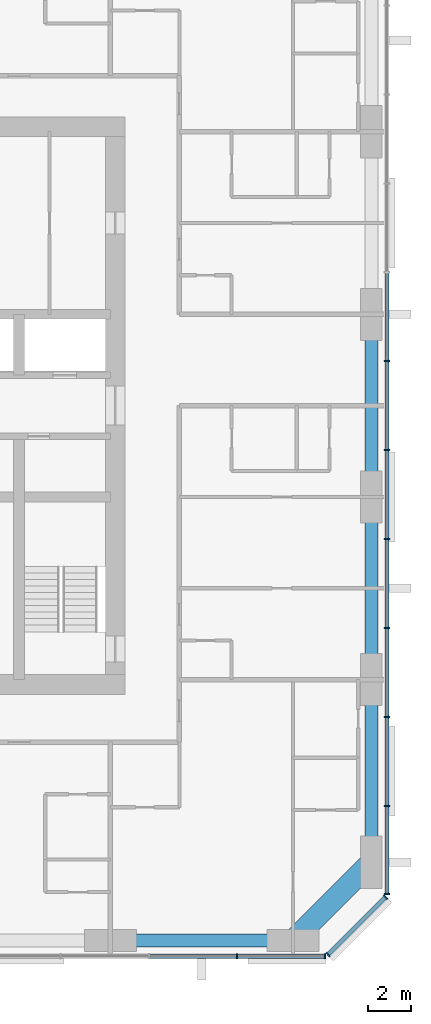
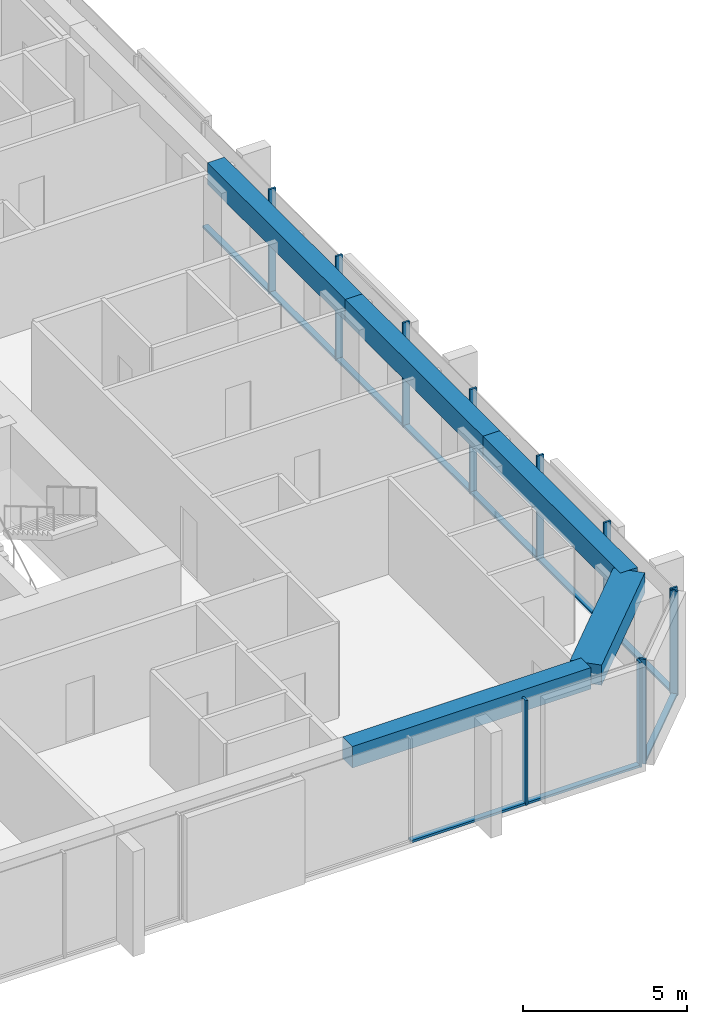
# One storey, part 3 of 12: 21 members, 5 beams, 3 elements without a shape of their own.
"""IFC4 building model written with IfcOpenShell, lengths in metres."""

from ifc_helpers import new_model, si_unit, direction, frame, origin, origin_2d, place, context, subcontext, project, spatial, rectangle, extrude, material, material_profile, profile_set, type_object, element, aggregate, save


model = new_model("IFC4")

# Units and contexts
model_context = context("Model", 3, precision=1e-05, world=origin(), true_north=direction((0.0, 1.0)))
body_context = subcontext(model_context, "Body", "Model", "MODEL_VIEW")
ifc_project = project(units=[si_unit("LENGTHUNIT", "METRE"), si_unit("AREAUNIT", "SQUARE_METRE"), si_unit("VOLUMEUNIT", "CUBIC_METRE"), si_unit("PLANEANGLEUNIT", "RADIAN"), si_unit("MASSUNIT", "GRAM", prefix="KILO")], contexts=[model_context])

# Site, building, storey
site_placement = place(None, origin())
site = spatial("IfcSite", under=ifc_project, at=site_placement, CompositionType="ELEMENT")
building_placement = place(site_placement, origin())
building = spatial("IfcBuilding", under=site, at=building_placement, Name="Dunama Terrace Hotel", CompositionType="ELEMENT")
storey_placement = place(building_placement, frame((0.0, 0.0, 237.300048828125)))
storey = spatial("IfcBuildingStorey", under=building, at=storey_placement, Name="L61", CompositionType="ELEMENT", Elevation=237.300048828125)

# Curtain wall, members
ifc_material_1 = material(Name="Aluminium curtain wall system", Category="aluminium")
curtain_wall_type = type_object("IfcCurtainWallType", Name="Unitised fritted glass wall CW-D", PredefinedType="NOTDEFINED", material=ifc_material_1)
curtain_wall_1_placement = place(storey_placement, origin())
curtain_wall_1 = element("IfcCurtainWall", 1, at=curtain_wall_1_placement, inside=storey, type_object=curtain_wall_type, Name="Unitised fritted glass wall CW-D L61", PredefinedType="NOTDEFINED")
ifc_material_2 = material(Name="Aluminium mullion", Category="aluminium")
ifc_material_profile_1 = material_profile(ifc_material_2, rectangle(XDim=0.070068359375, YDim=0.239990234375, at=origin_2d()), Name="CWD MULLION 70X240")
ifc_profile_set_1 = profile_set([ifc_material_profile_1], Name="Aluminium mullion")
member_type_1 = type_object("IfcMemberType", Name="CWD mullion 70x240", PredefinedType="MULLION", material=ifc_profile_set_1)
member_1_placement = place(storey_placement, frame((47.8330078125, 4.080078125, 0.0), z_axis=(0.0, 0.0, 1.0), x_axis=(1.0, 0.0, 0.0)))
member_1 = element("IfcMember", 2, at=member_1_placement, type_object=member_type_1, Name="CWD mullion", PredefinedType="MULLION", context=body_context, shape_type="SweptSolid", body=[
    extrude(rectangle(XDim=0.070068359375, YDim=0.239990234375, at=origin_2d()), origin(), (0.0, 0.0, 1.0), 3.89990234375),
])
member_2_placement = place(storey_placement, frame((51.864990234375, 4.080078125, 0.0), z_axis=(0.0, 0.0, 1.0), x_axis=(1.0, 0.0, 0.0)))
member_2 = element("IfcMember", 3, at=member_2_placement, type_object=member_type_1, Name="CWD mullion", PredefinedType="MULLION", context=body_context, shape_type="SweptSolid", body=[
    extrude(rectangle(XDim=0.070068359375, YDim=0.239990234375, at=origin_2d()), origin(), (0.0, 0.0, 1.0), 3.89990234375),
])

curtain_wall_2_placement = place(storey_placement, origin())
curtain_wall_2 = element("IfcCurtainWall", 4, at=curtain_wall_2_placement, inside=storey, type_object=curtain_wall_type, Name="Unitised fritted glass wall CW-D L61", PredefinedType="NOTDEFINED")
member_3_placement = place(storey_placement, frame((52.010009765625, 4.139892578125, 0.0), z_axis=(0.0, 0.0, 1.0), x_axis=(0.707106781187, 0.707106781187, 0.0)))
member_3 = element("IfcMember", 5, at=member_3_placement, type_object=member_type_1, Name="CWD mullion", PredefinedType="MULLION", context=body_context, shape_type="SweptSolid", body=[
    extrude(rectangle(XDim=0.070068359375, YDim=0.239990234375, at=origin_2d()), origin(), (0.0, 0.0, 1.0), 3.89990234375),
])
member_4_placement = place(storey_placement, frame((54.659912109375, 6.7900390625, 0.0), z_axis=(0.0, 0.0, 1.0), x_axis=(0.707106781187, 0.707106781187, 0.0)))
member_4 = element("IfcMember", 6, at=member_4_placement, type_object=member_type_1, Name="CWD mullion", PredefinedType="MULLION", context=body_context, shape_type="SweptSolid", body=[
    extrude(rectangle(XDim=0.070068359375, YDim=0.239990234375, at=origin_2d()), origin(), (0.0, 0.0, 1.0), 3.89990234375),
])

curtain_wall_3_placement = place(storey_placement, origin())
curtain_wall_3 = element("IfcCurtainWall", 7, at=curtain_wall_3_placement, inside=storey, type_object=curtain_wall_type, Name="Unitised fritted glass wall CW-D L61", PredefinedType="NOTDEFINED")
member_5_placement = place(storey_placement, frame((54.719970703125, 6.93505859375, 0.0), z_axis=(0.0, 0.0, 1.0), x_axis=(0.0, 1.0, 0.0)))
member_5 = element("IfcMember", 8, at=member_5_placement, type_object=member_type_1, Name="CWD mullion", PredefinedType="MULLION", context=body_context, shape_type="SweptSolid", body=[
    extrude(rectangle(XDim=0.070068359375, YDim=0.239990234375, at=origin_2d()), origin(), (0.0, 0.0, 1.0), 3.89990234375),
])
member_6_placement = place(storey_placement, frame((54.719970703125, 10.990966796875, 0.0), z_axis=(0.0, 0.0, 1.0), x_axis=(0.0, 1.0, 0.0)))
member_6 = element("IfcMember", 9, at=member_6_placement, type_object=member_type_1, Name="CWD mullion", PredefinedType="MULLION", context=body_context, shape_type="SweptSolid", body=[
    extrude(rectangle(XDim=0.070068359375, YDim=0.239990234375, at=origin_2d()), origin(), (0.0, 0.0, 1.0), 3.89990234375),
])
member_7_placement = place(storey_placement, frame((54.719970703125, 15.08203125, 0.0), z_axis=(0.0, 0.0, 1.0), x_axis=(0.0, 1.0, 0.0)))
member_7 = element("IfcMember", 10, at=member_7_placement, type_object=member_type_1, Name="CWD mullion", PredefinedType="MULLION", context=body_context, shape_type="SweptSolid", body=[
    extrude(rectangle(XDim=0.070068359375, YDim=0.239990234375, at=origin_2d()), origin(), (0.0, 0.0, 1.0), 3.89990234375),
])
member_8_placement = place(storey_placement, frame((54.719970703125, 19.173095703125, 0.0), z_axis=(0.0, 0.0, 1.0), x_axis=(0.0, 1.0, 0.0)))
member_8 = element("IfcMember", 11, at=member_8_placement, type_object=member_type_1, Name="CWD mullion", PredefinedType="MULLION", context=body_context, shape_type="SweptSolid", body=[
    extrude(rectangle(XDim=0.070068359375, YDim=0.239990234375, at=origin_2d()), origin(), (0.0, 0.0, 1.0), 3.89990234375),
])
member_9_placement = place(storey_placement, frame((54.719970703125, 23.263916015625, 0.0), z_axis=(0.0, 0.0, 1.0), x_axis=(0.0, 1.0, 0.0)))
member_9 = element("IfcMember", 12, at=member_9_placement, type_object=member_type_1, Name="CWD mullion", PredefinedType="MULLION", context=body_context, shape_type="SweptSolid", body=[
    extrude(rectangle(XDim=0.070068359375, YDim=0.239990234375, at=origin_2d()), origin(), (0.0, 0.0, 1.0), 3.89990234375),
])
member_10_placement = place(storey_placement, frame((54.719970703125, 27.35498046875, 0.0), z_axis=(0.0, 0.0, 1.0), x_axis=(0.0, 1.0, 0.0)))
member_10 = element("IfcMember", 13, at=member_10_placement, type_object=member_type_1, Name="CWD mullion", PredefinedType="MULLION", context=body_context, shape_type="SweptSolid", body=[
    extrude(rectangle(XDim=0.070068359375, YDim=0.239990234375, at=origin_2d()), origin(), (0.0, 0.0, 1.0), 3.89990234375),
])
member_11_placement = place(storey_placement, frame((54.719970703125, 31.445068359375, 0.0), z_axis=(0.0, 0.0, 1.0), x_axis=(0.0, 1.0, 0.0)))
member_11 = element("IfcMember", 14, at=member_11_placement, type_object=member_type_1, Name="CWD mullion", PredefinedType="MULLION", context=body_context, shape_type="SweptSolid", body=[
    extrude(rectangle(XDim=0.070068359375, YDim=0.239990234375, at=origin_2d()), origin(), (0.0, 0.0, 1.0), 3.89990234375),
])

# Member
ifc_material_3 = material(Name="Aluminium transom", Category="aluminium")
ifc_material_profile_2 = material_profile(ifc_material_3, rectangle(XDim=0.199951171875, YDim=0.0849609375, at=origin_2d()), Name="CWD TRANSOM 200X85")
ifc_profile_set_2 = profile_set([ifc_material_profile_2], Name="Aluminium transom")
member_type_2 = type_object("IfcMemberType", Name="CWD transom 200x85", PredefinedType="USERDEFINED", material=ifc_profile_set_2)
member_12_placement = place(storey_placement, frame((43.802001953125, 4.080078125, 0.04248046875), z_axis=(1.0, 0.0, 0.0), x_axis=(0.0, 1.0, 0.0)))
member_12 = element("IfcMember", 15, at=member_12_placement, type_object=member_type_2, Name="CWD transom", ObjectType="TRANSOM", PredefinedType="USERDEFINED", context=body_context, shape_type="SweptSolid", body=[
    extrude(rectangle(XDim=0.199951171875, YDim=0.0849609375, at=origin_2d()), origin(), (0.0, 0.0, 1.0), 3.99609375),
])

member_13_placement = place(storey_placement, frame((47.867919921875, 4.080078125, 0.04248046875), z_axis=(1.0, 0.0, 0.0), x_axis=(0.0, 1.0, 0.0)))
member_13 = element("IfcMember", 16, at=member_13_placement, type_object=member_type_2, Name="CWD transom", ObjectType="TRANSOM", PredefinedType="USERDEFINED", context=body_context, shape_type="SweptSolid", body=[
    extrude(rectangle(XDim=0.199951171875, YDim=0.0849609375, at=origin_2d()), origin(), (0.0, 0.0, 1.0), 3.962158203125),
])

aggregate(curtain_wall_1, [member_1, member_2, member_12, member_13])

member_14_placement = place(storey_placement, frame((52.033935546875, 4.1650390625, 0.04248046875), z_axis=(0.707106781187, 0.707106781187, 0.0), x_axis=(-0.707106781187, 0.707106781187, 0.0)))
member_14 = element("IfcMember", 17, at=member_14_placement, type_object=member_type_2, Name="CWD transom", ObjectType="TRANSOM", PredefinedType="USERDEFINED", context=body_context, shape_type="SweptSolid", body=[
    extrude(rectangle(XDim=0.199951171875, YDim=0.0849609375, at=origin_2d()), origin(), (0.0, 0.0, 1.0), 3.678466796875),
])

aggregate(curtain_wall_2, [member_3, member_4, member_14])

member_15_placement = place(storey_placement, frame((54.719970703125, 6.969970703125, 0.04248046875), z_axis=(0.0, 1.0, 0.0), x_axis=(-1.0, 0.0, 0.0)))
member_15 = element("IfcMember", 18, at=member_15_placement, type_object=member_type_2, Name="CWD transom", ObjectType="TRANSOM", PredefinedType="USERDEFINED", context=body_context, shape_type="SweptSolid", body=[
    extrude(rectangle(XDim=0.199951171875, YDim=0.0849609375, at=origin_2d()), origin(), (0.0, 0.0, 1.0), 3.986083984375),
])

member_16_placement = place(storey_placement, frame((54.719970703125, 11.02587890625, 0.04248046875), z_axis=(0.0, 1.0, 0.0), x_axis=(-1.0, 0.0, 0.0)))
member_16 = element("IfcMember", 19, at=member_16_placement, type_object=member_type_2, Name="CWD transom", ObjectType="TRANSOM", PredefinedType="USERDEFINED", context=body_context, shape_type="SweptSolid", body=[
    extrude(rectangle(XDim=0.199951171875, YDim=0.0849609375, at=origin_2d()), origin(), (0.0, 0.0, 1.0), 4.021240234375),
])

member_17_placement = place(storey_placement, frame((54.719970703125, 15.116943359375, 0.04248046875), z_axis=(0.0, 1.0, 0.0), x_axis=(-1.0, 0.0, 0.0)))
member_17 = element("IfcMember", 20, at=member_17_placement, type_object=member_type_2, Name="CWD transom", ObjectType="TRANSOM", PredefinedType="USERDEFINED", context=body_context, shape_type="SweptSolid", body=[
    extrude(rectangle(XDim=0.199951171875, YDim=0.0849609375, at=origin_2d()), origin(), (0.0, 0.0, 1.0), 4.02099609375),
])

member_18_placement = place(storey_placement, frame((54.719970703125, 19.2080078125, 0.04248046875), z_axis=(0.0, 1.0, 0.0), x_axis=(-1.0, 0.0, 0.0)))
member_18 = element("IfcMember", 21, at=member_18_placement, type_object=member_type_2, Name="CWD transom", ObjectType="TRANSOM", PredefinedType="USERDEFINED", context=body_context, shape_type="SweptSolid", body=[
    extrude(rectangle(XDim=0.199951171875, YDim=0.0849609375, at=origin_2d()), origin(), (0.0, 0.0, 1.0), 4.02099609375),
])

member_19_placement = place(storey_placement, frame((54.719970703125, 23.299072265625, 0.04248046875), z_axis=(0.0, 1.0, 0.0), x_axis=(-1.0, 0.0, 0.0)))
member_19 = element("IfcMember", 22, at=member_19_placement, type_object=member_type_2, Name="CWD transom", ObjectType="TRANSOM", PredefinedType="USERDEFINED", context=body_context, shape_type="SweptSolid", body=[
    extrude(rectangle(XDim=0.199951171875, YDim=0.0849609375, at=origin_2d()), origin(), (0.0, 0.0, 1.0), 4.02099609375),
])

member_20_placement = place(storey_placement, frame((54.719970703125, 27.389892578125, 0.04248046875), z_axis=(0.0, 1.0, 0.0), x_axis=(-1.0, 0.0, 0.0)))
member_20 = element("IfcMember", 23, at=member_20_placement, type_object=member_type_2, Name="CWD transom", ObjectType="TRANSOM", PredefinedType="USERDEFINED", context=body_context, shape_type="SweptSolid", body=[
    extrude(rectangle(XDim=0.199951171875, YDim=0.0849609375, at=origin_2d()), origin(), (0.0, 0.0, 1.0), 4.02001953125),
])

member_21_placement = place(storey_placement, frame((54.719970703125, 31.47998046875, 0.04248046875), z_axis=(0.0, 1.0, 0.0), x_axis=(-1.0, 0.0, 0.0)))
member_21 = element("IfcMember", 24, at=member_21_placement, type_object=member_type_2, Name="CWD transom", ObjectType="TRANSOM", PredefinedType="USERDEFINED", context=body_context, shape_type="SweptSolid", body=[
    extrude(rectangle(XDim=0.199951171875, YDim=0.0849609375, at=origin_2d()), origin(), (0.0, 0.0, 1.0), 4.02099609375),
])

aggregate(curtain_wall_3, [member_5, member_6, member_7, member_8, member_9, member_10, member_11, member_15, member_16, member_17, member_18, member_19, member_20, member_21])

# Beams
ifc_material_4 = material(Name="Concrete C50/60", Category="concrete")
ifc_material_profile_3 = material_profile(ifc_material_4, rectangle(XDim=1.0, YDim=0.75, at=origin_2d()), Name="RC 1000x750")
ifc_profile_set_3 = profile_set([ifc_material_profile_3], Name="Concrete C50/60")
beam_type_1 = type_object("IfcBeamType", Name="Edge beam RC 1000x750", PredefinedType="SPANDREL", material=ifc_profile_set_3)
beam_1_placement = place(storey_placement, frame((50.39990234375, 4.800048828125, 3.52490234375), z_axis=(0.707130757816, 0.707082803744, 0.0), x_axis=(-0.707082803744, 0.707130757816, 0.0)))
element("IfcBeam", 25, at=beam_1_placement, inside=storey, type_object=beam_type_1, Name="Corner edge beam under L62", PredefinedType="SPANDREL", context=body_context, shape_type="SweptSolid", body=[
    extrude(rectangle(XDim=1.0, YDim=0.75, at=origin_2d()), origin(), (0.0, 0.0, 1.0), 5.091064453125),
])
ifc_material_5 = material(Name="Concrete C40/50", Category="concrete")
ifc_material_profile_4 = material_profile(ifc_material_5, rectangle(XDim=0.60009765625, YDim=0.800048828125, at=origin_2d()), Name="RC 600x800")
ifc_profile_set_4 = profile_set([ifc_material_profile_4], Name="Concrete C40/50")
beam_type_2 = type_object("IfcBeamType", Name="Edge beam RC 600x800", PredefinedType="SPANDREL", material=ifc_profile_set_4)
beam_2_placement = place(storey_placement, frame((54.0, 8.39990234375, 3.5), z_axis=(0.0, 1.0, 0.0), x_axis=(-1.0, 0.0, 0.0)))
element("IfcBeam", 26, at=beam_2_placement, inside=storey, type_object=beam_type_2, Name="Edge beam under L62", PredefinedType="SPANDREL", context=body_context, shape_type="SweptSolid", body=[
    extrude(rectangle(XDim=0.60009765625, YDim=0.800048828125, at=origin_2d()), origin(), (0.0, 0.0, 1.0), 8.400146484375),
])
beam_3_placement = place(storey_placement, frame((54.0, 16.800048828125, 3.5), z_axis=(0.0, 1.0, 0.0), x_axis=(-1.0, 0.0, 0.0)))
element("IfcBeam", 27, at=beam_3_placement, inside=storey, type_object=beam_type_2, Name="Edge beam under L62", PredefinedType="SPANDREL", context=body_context, shape_type="SweptSolid", body=[
    extrude(rectangle(XDim=0.60009765625, YDim=0.800048828125, at=origin_2d()), origin(), (0.0, 0.0, 1.0), 8.39990234375),
])
beam_4_placement = place(storey_placement, frame((54.0, 25.199951171875, 3.5), z_axis=(0.0, 1.0, 0.0), x_axis=(-1.0, 0.0, 0.0)))
element("IfcBeam", 28, at=beam_4_placement, inside=storey, type_object=beam_type_2, Name="Edge beam under L62", PredefinedType="SPANDREL", context=body_context, shape_type="SweptSolid", body=[
    extrude(rectangle(XDim=0.60009765625, YDim=0.800048828125, at=origin_2d()), origin(), (0.0, 0.0, 1.0), 8.400146484375),
])
beam_5_placement = place(storey_placement, frame((42.0, 4.800048828125, 3.5), z_axis=(1.0, 0.0, 0.0), x_axis=(0.0, 1.0, 0.0)))
element("IfcBeam", 29, at=beam_5_placement, inside=storey, type_object=beam_type_2, Name="Edge beam under L62", PredefinedType="SPANDREL", context=body_context, shape_type="SweptSolid", body=[
    extrude(rectangle(XDim=0.60009765625, YDim=0.800048828125, at=origin_2d()), origin(), (0.0, 0.0, 1.0), 8.39990234375),
])

save(model, "model.ifc")
